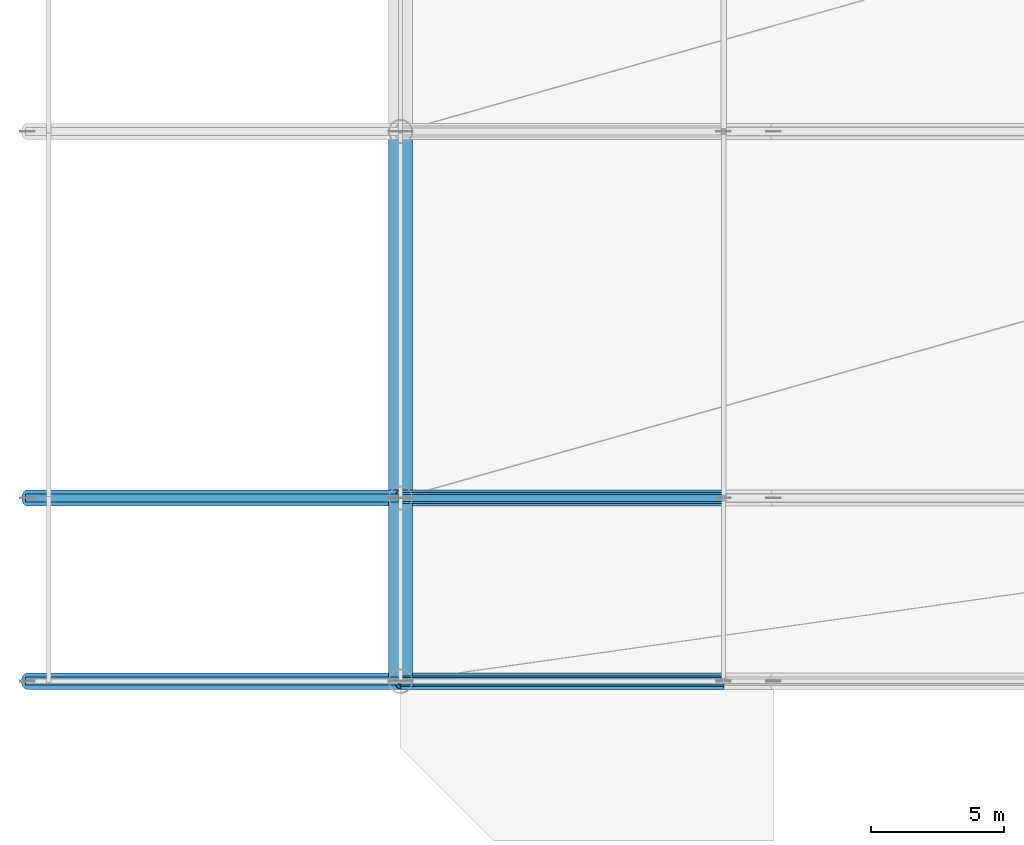
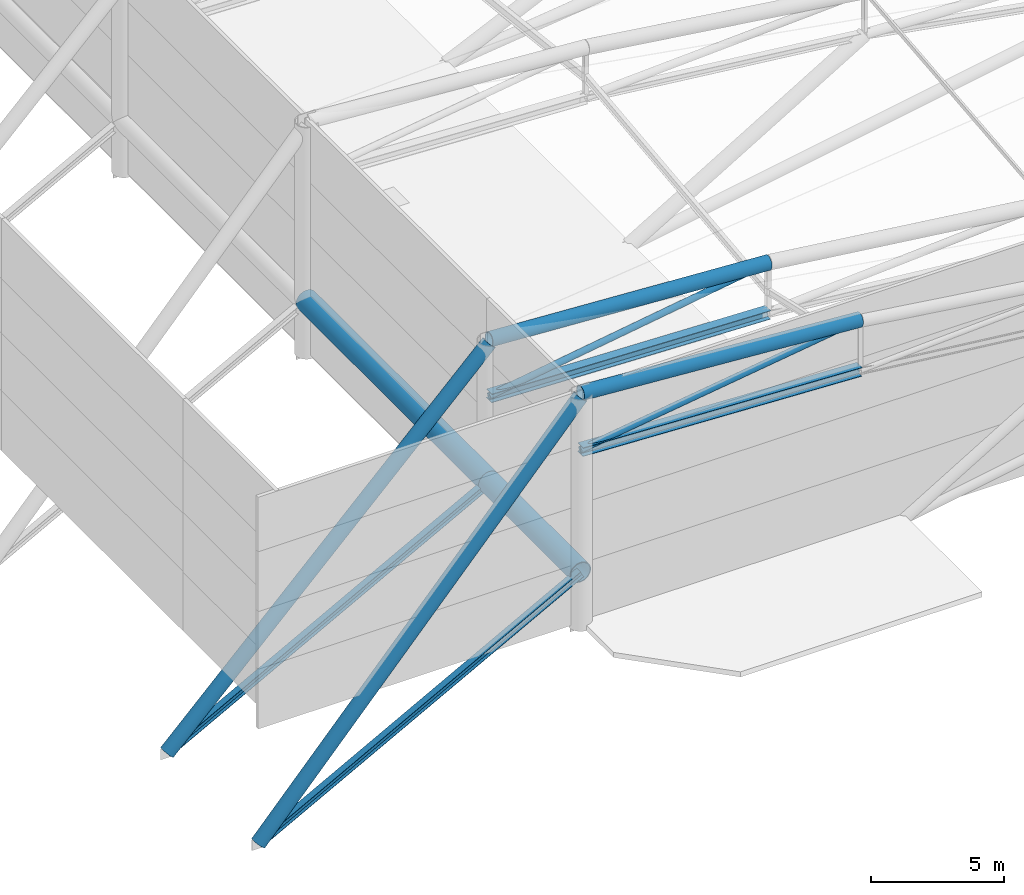
# One storey, part 3 of 36: 10 members, 2 beams.
"""IFC4 building model written with IfcOpenShell, lengths in metres."""

from ifc_helpers import new_model, si_unit, direction, frame, origin, origin_2d, place, context, subcontext, project, spatial, hollow_circle, i_section, extrude, material, material_profile, profile_set, type_object, element, save


model = new_model("IFC4")

# Units and contexts
model_context = context("Model", 3, precision=1e-05, world=origin(), true_north=direction((0.0, 1.0)))
body_context = subcontext(model_context, "Body", "Model", "MODEL_VIEW")
ifc_project = project(units=[si_unit("LENGTHUNIT", "METRE"), si_unit("AREAUNIT", "SQUARE_METRE"), si_unit("VOLUMEUNIT", "CUBIC_METRE"), si_unit("PLANEANGLEUNIT", "RADIAN"), si_unit("MASSUNIT", "GRAM", prefix="KILO")], contexts=[model_context])

# Site, building, storey
site_placement = place(None, origin())
site = spatial("IfcSite", under=ifc_project, at=site_placement, CompositionType="ELEMENT")
building_placement = place(site_placement, origin())
building = spatial("IfcBuilding", under=site, at=building_placement, Name="Linyun Crest Stadium", CompositionType="ELEMENT")
storey_placement = place(building_placement, frame((0.0, 0.0, 31.60009765625)))
storey = spatial("IfcBuildingStorey", under=building, at=storey_placement, Name="RF", CompositionType="ELEMENT", Elevation=31.60009765625)

# Beams
ifc_material_1 = material(Name="Steel Q420C", Category="steel")
ifc_material_profile_1 = material_profile(ifc_material_1, hollow_circle(Radius=0.45703125, WallThickness=0.0380859375, at=origin_2d()), Name="CHS 914x38")
ifc_profile_set_1 = profile_set([ifc_material_profile_1], Name="Steel Q420C")
beam_type = type_object("IfcBeamType", Name="HB02", PredefinedType="USERDEFINED", material=ifc_profile_set_1)
beam_1_placement = place(storey_placement, frame((-84.0, -46.0, 2.164794921875), z_axis=(0.0, 1.0, 0.0), x_axis=(-1.0, 0.0, 0.0)))
element("IfcBeam", 1, at=beam_1_placement, inside=storey, type_object=beam_type, Name="Roof Outer compression ring beam HB02 V1 2", ObjectType="RING BEAM", PredefinedType="USERDEFINED", context=body_context, shape_type="SweptSolid", body=[
    extrude(hollow_circle(Radius=0.45703125, WallThickness=0.0380859375, at=origin_2d()), origin(), (0.0, 0.0, 1.0), 6.875),
])
beam_2_placement = place(storey_placement, frame((-84.0, -39.125, 2.164794921875), z_axis=(0.0, 1.0, 0.0), x_axis=(-1.0, 0.0, 0.0)))
element("IfcBeam", 2, at=beam_2_placement, inside=storey, type_object=beam_type, Name="Roof Outer compression ring beam HB02 V1 4", ObjectType="RING BEAM", PredefinedType="USERDEFINED", context=body_context, shape_type="SweptSolid", body=[
    extrude(hollow_circle(Radius=0.45703125, WallThickness=0.0380859375, at=origin_2d()), origin(), (0.0, 0.0, 1.0), 13.75),
])

# Members
ifc_material_2 = material(Name="Steel Q420C", Category="steel")
ifc_material_profile_2 = material_profile(ifc_material_2, hollow_circle(Radius=0.304931640625, WallThickness=0.030029296875, at=origin_2d()), Name="CHS 610x30")
ifc_profile_set_2 = profile_set([ifc_material_profile_2], Name="Steel Q420C")
member_type_1 = type_object("IfcMemberType", Name="TC02", PredefinedType="CHORD", material=ifc_profile_set_2)
member_1_placement = place(storey_placement, frame((-84.0, -46.0, 10.25), z_axis=(-0.66719573983, 0.0, -0.744882436867), x_axis=(0.0, -1.0, 0.0)))
element("IfcMember", 3, at=member_1_placement, inside=storey, type_object=member_type_1, Name="Roof truss back-stay chord TC02 V1 1", PredefinedType="CHORD", context=body_context, shape_type="SweptSolid", body=[
    extrude(hollow_circle(Radius=0.304931640625, WallThickness=0.030029296875, at=origin_2d()), origin(), (0.0, 0.0, 1.0), 20.9833984375),
])
member_2_placement = place(storey_placement, frame((-84.0, -46.0, 10.39990234375), z_axis=(0.997482094845, 0.0, -0.070918759602), x_axis=(0.0, 1.0, 0.0)))
element("IfcMember", 4, at=member_2_placement, inside=storey, type_object=member_type_1, Name="Roof truss top chord TC02 V1 3", PredefinedType="CHORD", context=body_context, shape_type="SweptSolid", body=[
    extrude(hollow_circle(Radius=0.304931640625, WallThickness=0.030029296875, at=origin_2d()), origin(), (0.0, 0.0, 1.0), 12.155517578125),
])
member_3_placement = place(storey_placement, frame((-84.0, -39.125, 8.5498046875), z_axis=(-0.708878482915, 0.0, -0.70533062918), x_axis=(0.0, -1.0, 0.0)))
element("IfcMember", 5, at=member_3_placement, inside=storey, type_object=member_type_1, Name="Roof truss back-stay chord TC02 V1 20", PredefinedType="CHORD", context=body_context, shape_type="SweptSolid", body=[
    extrude(hollow_circle(Radius=0.304931640625, WallThickness=0.030029296875, at=origin_2d()), origin(), (0.0, 0.0, 1.0), 19.74951171875),
])
member_4_placement = place(storey_placement, frame((-84.0, -39.125, 8.699951171875), z_axis=(0.998274858327, 0.0, -0.058713773783), x_axis=(0.0, 1.0, 0.0)))
element("IfcMember", 6, at=member_4_placement, inside=storey, type_object=member_type_1, Name="Roof truss top chord TC02 V1 22", PredefinedType="CHORD", context=body_context, shape_type="SweptSolid", body=[
    extrude(hollow_circle(Radius=0.304931640625, WallThickness=0.030029296875, at=origin_2d()), origin(), (0.0, 0.0, 1.0), 12.14599609375),
])
ifc_material_3 = material(Name="Steel Q355C", Category="steel")
ifc_material_profile_3 = material_profile(ifc_material_3, i_section(OverallWidth=0.300048828125, OverallDepth=0.300048828125, WebThickness=0.010009765625, FlangeThickness=0.014892578125, at=origin_2d()), Name="HW 300x300")
ifc_profile_set_3 = profile_set([ifc_material_profile_3], Name="Steel Q355C")
member_type_2 = type_object("IfcMemberType", Name="TC03", PredefinedType="CHORD", material=ifc_profile_set_3)
for number, where, z_axis, x_axis, name in (
    (7, (-84.0, -46.0, 2.164794921875), (-0.880301475787, 0.0, -0.474414704376), (0.0, -1.0, 0.0), "Roof truss lower back-span chord TC03 V1 2"),
    (8, (-84.0, -39.125, 2.164794921875), (-0.880301475787, 0.0, -0.474414704376), (0.0, -1.0, 0.0), "Roof truss lower back-span chord TC03 V1 21"),
):
    element("IfcMember", number, at=place(storey_placement, frame(where, z_axis=z_axis, x_axis=x_axis)), inside=storey, type_object=member_type_2, Name=name, PredefinedType="CHORD", context=body_context, shape_type="SweptSolid", body=[
        extrude(i_section(OverallWidth=0.300048828125, OverallDepth=0.300048828125, WebThickness=0.010009765625, FlangeThickness=0.014892578125, at=origin_2d()), origin(), (0.0, 0.0, 1.0), 15.903564453125),
    ])
ifc_material_4 = material(Name="Steel Q420C", Category="steel")
ifc_material_profile_4 = material_profile(ifc_material_4, i_section(OverallWidth=0.407958984375, OverallDepth=0.39990234375, WebThickness=0.02099609375, FlangeThickness=0.02099609375, at=origin_2d()), Name="HW 400x408")
ifc_profile_set_4 = profile_set([ifc_material_profile_4], Name="Steel Q420C")
member_type_3 = type_object("IfcMemberType", Name="TC04", PredefinedType="CHORD", material=ifc_profile_set_4)
member_5_placement = place(storey_placement, frame((-84.0, -46.0, 7.7998046875), z_axis=(0.998973511028, 0.0, -0.045298170643), x_axis=(0.0, 1.0, 0.0)))
element("IfcMember", 9, at=member_5_placement, inside=storey, type_object=member_type_3, Name="Roof truss bottom chord TC04 V1 4", PredefinedType="CHORD", context=body_context, shape_type="SweptSolid", body=[
    extrude(i_section(OverallWidth=0.407958984375, OverallDepth=0.39990234375, WebThickness=0.02099609375, FlangeThickness=0.02099609375, at=origin_2d()), origin(), (0.0, 0.0, 1.0), 12.137451171875),
])
member_6_placement = place(storey_placement, frame((-84.0, -39.125, 6.099853515625), z_axis=(0.999453893872, 0.0, -0.033044122377), x_axis=(0.0, 1.0, 0.0)))
element("IfcMember", 10, at=member_6_placement, inside=storey, type_object=member_type_3, Name="Roof truss bottom chord TC04 V1 23", PredefinedType="CHORD", context=body_context, shape_type="SweptSolid", body=[
    extrude(i_section(OverallWidth=0.407958984375, OverallDepth=0.39990234375, WebThickness=0.02099609375, FlangeThickness=0.02099609375, at=origin_2d()), origin(), (0.0, 0.0, 1.0), 12.131591796875),
])
ifc_material_5 = material(Name="Steel Q355C", Category="steel")
ifc_material_profile_5 = material_profile(ifc_material_5, hollow_circle(Radius=0.136474609375, WallThickness=0.013916015625, at=origin_2d()), Name="CHS 273x14")
ifc_profile_set_5 = profile_set([ifc_material_profile_5], Name="Steel Q355C")
member_type_4 = type_object("IfcMemberType", Name="TD01", PredefinedType="BRACE", material=ifc_profile_set_5)
member_7_placement = place(storey_placement, frame((-84.0, -46.0, 7.7998046875), z_axis=(0.989882012596, 0.0, 0.141892921385), x_axis=(0.0, 1.0, 0.0)))
element("IfcMember", 11, at=member_7_placement, inside=storey, type_object=member_type_4, Name="Roof truss diagonal TD01 V1 5", PredefinedType="BRACE", context=body_context, shape_type="SweptSolid", body=[
    extrude(hollow_circle(Radius=0.136474609375, WallThickness=0.013916015625, at=origin_2d()), origin(), (0.0, 0.0, 1.0), 12.2490234375),
])
member_8_placement = place(storey_placement, frame((-84.0, -39.125, 6.099853515625), z_axis=(0.988105923957, 0.0, 0.153774780249), x_axis=(0.0, 1.0, 0.0)))
element("IfcMember", 12, at=member_8_placement, inside=storey, type_object=member_type_4, Name="Roof truss diagonal TD01 V1 24", PredefinedType="BRACE", context=body_context, shape_type="SweptSolid", body=[
    extrude(hollow_circle(Radius=0.136474609375, WallThickness=0.013916015625, at=origin_2d()), origin(), (0.0, 0.0, 1.0), 12.27099609375),
])

save(model, "model.ifc")
